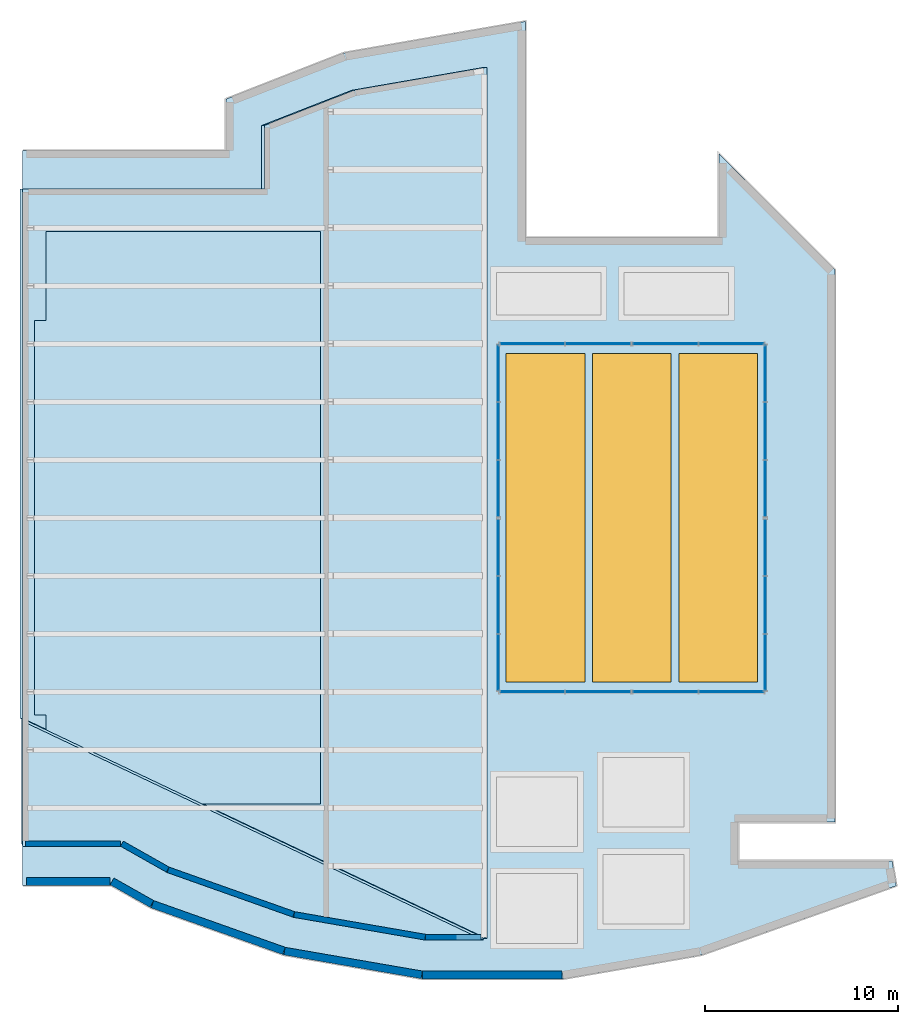
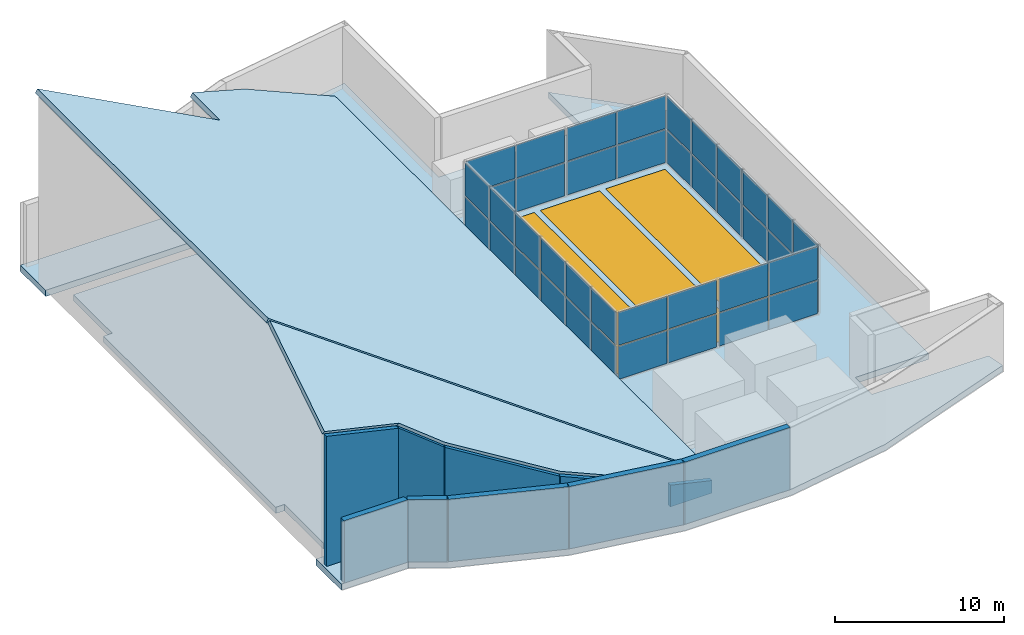
"""IFC4 building model written with IfcOpenShell, lengths in metres."""

from ifc_helpers import new_model, si_unit, direction, frame, frame_2d, origin, origin_2d, place, context, subcontext, project, spatial, polyline, rectangle, outline, extrude, material, layer, layer_set, type_object, element, fill, aggregate, save


model = new_model("IFC4")

# Units and contexts
model_context = context("Model", 3, precision=1e-05, world=origin(), true_north=direction((0.0, 1.0)))
body_context = subcontext(model_context, "Body", "Model", "MODEL_VIEW")
ifc_project = project(units=[si_unit("LENGTHUNIT", "METRE"), si_unit("AREAUNIT", "SQUARE_METRE"), si_unit("VOLUMEUNIT", "CUBIC_METRE"), si_unit("PLANEANGLEUNIT", "RADIAN"), si_unit("MASSUNIT", "GRAM", prefix="KILO")], contexts=[model_context])

# Site, building, storey
site_placement = place(None, origin())
site = spatial("IfcSite", under=ifc_project, at=site_placement, CompositionType="ELEMENT")
building_placement = place(site_placement, origin())
building = spatial("IfcBuilding", under=site, at=building_placement, Name="Cypress Arch Tower", CompositionType="ELEMENT")
storey_1_placement = place(building_placement, frame((0.0, 0.0, 359.0)))
storey_1 = spatial("IfcBuildingStorey", under=building, at=storey_1_placement, Name="ROOF", CompositionType="ELEMENT", Elevation=359.0)

# Slab
ifc_material_1 = material(Name="Concrete C50/60", Category="concrete")
ifc_layer_1 = layer(ifc_material_1, 0.449951171875)
ifc_layer_set_1 = layer_set([ifc_layer_1], Name="Core roof CR450")
slab_type_1 = type_object("IfcSlabType", Name="Core roof CR450", PredefinedType="ROOF", material=ifc_layer_set_1)
slab_1_placement = place(storey_1_placement, frame((0.0, 0.0, -0.449951171875)))
element("IfcSlab", 1, at=slab_1_placement, inside=storey_1, type_object=slab_type_1, Name="Core roof", PredefinedType="ROOF", context=body_context, shape_type="SweptSolid", body=[
    extrude(outline(polyline([(-14.60009765625, -14.800048828125), (-14.60009765625, -10.199951171875), (-14.60009765625, 10.199951171875), (-14.60009765625, 14.800048828125), (-28.800048828125, 14.800048828125), (-28.800048828125, 10.199951171875), (-29.39990234375, 10.199951171875), (-29.39990234375, -10.199951171875), (-28.800048828125, -10.199951171875), (-28.800048828125, -14.800048828125), (-14.60009765625, -14.800048828125)])), origin(), (0.0, 0.0, 1.0), 0.449951171875),
])

# Slab, openings
ifc_material_2 = material(Name="Concrete C40/50", Category="concrete")
ifc_layer_2 = layer(ifc_material_2, 0.449951171875)
ifc_layer_set_2 = layer_set([ifc_layer_2], Name="Crown roof slab 450 Concrete C40/50")
slab_type_2 = type_object("IfcSlabType", Name="Crown roof slab 450 Concrete C40/50", PredefinedType="ROOF", material=ifc_layer_set_2)
slab_2_placement = place(storey_1_placement, frame((0.0, 0.0, -0.449951171875)))
slab_2 = element("IfcSlab", 2, at=slab_2_placement, inside=storey_1, type_object=slab_type_2, Name="Plant block roof slab", PredefinedType="ROOF", context=body_context, shape_type="SweptSolid", body=[
    extrude(outline(polyline([(-19.5, 21.655029296875), (-13.39111328125, 24.0458984375), (-4.0, 25.677490234375), (-4.0, 14.5), (6.0, 14.5), (6.0, 18.828369140625), (12.0, 12.828369140625), (12.0, -15.739990234375), (7.0, -15.739990234375), (7.0, -17.739990234375), (14.96337890625, -17.739990234375), (15.184326171875, -19.022705078125), (5.108642578125, -22.601806640625), (-2.05859375, -23.840087890625), (-9.341552734375, -23.840087890625), (-16.50830078125, -22.601806640625), (-23.372802734375, -20.166748046875), (-25.436279296875, -19.0), (-30.0, -19.0), (-30.0, -16.0), (-14.0, -16.0), (-14.0, 16.0), (-30.0, 16.0), (-30.0, 19.0), (-19.5, 19.0), (-19.5, 21.655029296875)])), origin(), (0.0, 0.0, 1.0), 0.449951171875),
])
opening_1_placement = place(slab_2_placement, frame((-2.966552734375, 0.0, 0.0)))
opening_1 = element("IfcOpeningElement", 3, at=opening_1_placement, cuts=slab_2, Name="Opening SK1", PredefinedType="OPENING", context=body_context, shape_type="SweptSolid", body=[
    extrude(rectangle(XDim=4.066650390625, YDim=17.0, at=origin_2d()), origin(), (0.0, 0.0, 1.0), 0.449951171875),
])
opening_2_placement = place(slab_2_placement, frame((1.5, 0.0, 0.0)))
opening_2 = element("IfcOpeningElement", 4, at=opening_2_placement, cuts=slab_2, Name="Opening SK1", PredefinedType="OPENING", context=body_context, shape_type="SweptSolid", body=[
    extrude(rectangle(XDim=4.066650390625, YDim=17.0, at=origin_2d()), origin(), (0.0, 0.0, 1.0), 0.449951171875),
])
opening_3_placement = place(slab_2_placement, frame((5.966552734375, 0.0, 0.0)))
opening_3 = element("IfcOpeningElement", 5, at=opening_3_placement, cuts=slab_2, Name="Opening SK1", PredefinedType="OPENING", context=body_context, shape_type="SweptSolid", body=[
    extrude(rectangle(XDim=4.066650390625, YDim=17.0, at=origin_2d()), origin(), (0.0, 0.0, 1.0), 0.449951171875),
])

# Storey
storey_2_placement = place(building_placement, frame((0.0, 0.0, 355.0)))
storey_2 = spatial("IfcBuildingStorey", under=building, at=storey_2_placement, Name="L81", CompositionType="ELEMENT", Elevation=355.0)

# Window
ifc_material_3 = material(Name="Aluminium frame, laminated low-iron glass", Category="aluminium")
window_type = type_object("IfcWindowType", Name="Atrium skylight 4067x17000", PartitioningType="SINGLE_PANEL", PredefinedType="SKYLIGHT", material=ifc_material_3)
window_1_placement = place(opening_1_placement, frame((0.0, 0.0, 0.39990234375)))
window_1 = element("IfcWindow", 6, at=window_1_placement, inside=storey_2, type_object=window_type, Name="Atrium skylight 1", OverallHeight=17.0, OverallWidth=4.066650390625, PartitioningType="SINGLE_PANEL", PredefinedType="SKYLIGHT", context=body_context, shape_type="SweptSolid", body=[
    extrude(rectangle(XDim=4.066650390625, YDim=17.0, at=origin_2d()), origin(), (0.0, 0.0, 1.0), 0.050048828125),
])

fill(opening_1, window_1)

window_2_placement = place(opening_2_placement, frame((0.0, 0.0, 0.39990234375)))
window_2 = element("IfcWindow", 7, at=window_2_placement, inside=storey_2, type_object=window_type, Name="Atrium skylight 2", OverallHeight=17.0, OverallWidth=4.066650390625, PartitioningType="SINGLE_PANEL", PredefinedType="SKYLIGHT", context=body_context, shape_type="SweptSolid", body=[
    extrude(rectangle(XDim=4.066650390625, YDim=17.0, at=origin_2d()), origin(), (0.0, 0.0, 1.0), 0.050048828125),
])

fill(opening_2, window_2)

window_3_placement = place(opening_3_placement, frame((0.0, 0.0, 0.39990234375)))
window_3 = element("IfcWindow", 8, at=window_3_placement, inside=storey_2, type_object=window_type, Name="Atrium skylight 3", OverallHeight=17.0, OverallWidth=4.066650390625, PartitioningType="SINGLE_PANEL", PredefinedType="SKYLIGHT", context=body_context, shape_type="SweptSolid", body=[
    extrude(rectangle(XDim=4.066650390625, YDim=17.0, at=origin_2d()), origin(), (0.0, 0.0, 1.0), 0.050048828125),
])

fill(opening_3, window_3)

# Curtain wall, plates
ifc_material_4 = material(Name="Anodised aluminium, bronze finish, clear laminated double glazing", Category="aluminium")
curtain_wall_type = type_object("IfcCurtainWallType", Name="Curtain wall CW4 atrium enclosure", PredefinedType="NOTDEFINED", material=ifc_material_4)
curtain_wall_1_placement = place(storey_1_placement, origin())
curtain_wall_1 = element("IfcCurtainWall", 9, at=curtain_wall_1_placement, inside=storey_1, type_object=curtain_wall_type, Name="Curtain wall lantern 1.1", PredefinedType="NOTDEFINED")
ifc_material_5 = material(Name="Clear laminated double glazing", Category="glass")
ifc_layer_3 = layer(ifc_material_5, 0.0439453125)
ifc_layer_set_3 = layer_set([ifc_layer_3], Name="Glass panel CW4 44")
plate_type = type_object("IfcPlateType", Name="Glass panel CW4 44", PredefinedType="CURTAIN_PANEL", material=ifc_layer_set_3)
plate_1_placement = place(storey_1_placement, frame((-3.65380859375, -9.0, 0.0849609375), z_axis=(0.0, 0.0, 1.0), x_axis=(1.0, 0.0, 0.0)))
plate_1 = element("IfcPlate", 10, at=plate_1_placement, type_object=plate_type, Name="CW4 panel 1.1", PredefinedType="CURTAIN_PANEL", context=body_context, shape_type="SweptSolid", body=[
    extrude(rectangle(XDim=3.322509765625, YDim=0.0439453125, at=origin_2d()), origin(), (0.0, 0.0, 1.0), 2.37255859375),
])
plate_2_placement = place(storey_1_placement, frame((-3.65380859375, -9.0, 2.54248046875), z_axis=(0.0, 0.0, 1.0), x_axis=(1.0, 0.0, 0.0)))
plate_2 = element("IfcPlate", 11, at=plate_2_placement, type_object=plate_type, Name="CW4 panel 1.2", PredefinedType="CURTAIN_PANEL", context=body_context, shape_type="SweptSolid", body=[
    extrude(rectangle(XDim=3.322509765625, YDim=0.0439453125, at=origin_2d()), origin(), (0.0, 0.0, 1.0), 2.37255859375),
])
plate_3_placement = place(storey_1_placement, frame((-0.246337890625, -9.0, 0.0849609375), z_axis=(0.0, 0.0, 1.0), x_axis=(1.0, 0.0, 0.0)))
plate_3 = element("IfcPlate", 12, at=plate_3_placement, type_object=plate_type, Name="CW4 panel 2.1", PredefinedType="CURTAIN_PANEL", context=body_context, shape_type="SweptSolid", body=[
    extrude(rectangle(XDim=3.322509765625, YDim=0.0439453125, at=origin_2d()), origin(), (0.0, 0.0, 1.0), 2.37255859375),
])
plate_4_placement = place(storey_1_placement, frame((-0.246337890625, -9.0, 2.54248046875), z_axis=(0.0, 0.0, 1.0), x_axis=(1.0, 0.0, 0.0)))
plate_4 = element("IfcPlate", 13, at=plate_4_placement, type_object=plate_type, Name="CW4 panel 2.2", PredefinedType="CURTAIN_PANEL", context=body_context, shape_type="SweptSolid", body=[
    extrude(rectangle(XDim=3.322509765625, YDim=0.0439453125, at=origin_2d()), origin(), (0.0, 0.0, 1.0), 2.37255859375),
])
aggregate(curtain_wall_1, [plate_1, plate_2, plate_3, plate_4])

curtain_wall_2_placement = place(storey_1_placement, origin())
curtain_wall_2 = element("IfcCurtainWall", 14, at=curtain_wall_2_placement, inside=storey_1, type_object=curtain_wall_type, Name="Curtain wall lantern 1.2", PredefinedType="NOTDEFINED")
plate_5_placement = place(storey_1_placement, frame((3.246337890625, -9.0, 0.0849609375), z_axis=(0.0, 0.0, 1.0), x_axis=(1.0, 0.0, 0.0)))
plate_5 = element("IfcPlate", 15, at=plate_5_placement, type_object=plate_type, Name="CW4 panel 1.1", PredefinedType="CURTAIN_PANEL", context=body_context, shape_type="SweptSolid", body=[
    extrude(rectangle(XDim=3.322509765625, YDim=0.0439453125, at=origin_2d()), origin(), (0.0, 0.0, 1.0), 2.37255859375),
])
plate_6_placement = place(storey_1_placement, frame((3.246337890625, -9.0, 2.54248046875), z_axis=(0.0, 0.0, 1.0), x_axis=(1.0, 0.0, 0.0)))
plate_6 = element("IfcPlate", 16, at=plate_6_placement, type_object=plate_type, Name="CW4 panel 1.2", PredefinedType="CURTAIN_PANEL", context=body_context, shape_type="SweptSolid", body=[
    extrude(rectangle(XDim=3.322509765625, YDim=0.0439453125, at=origin_2d()), origin(), (0.0, 0.0, 1.0), 2.37255859375),
])
plate_7_placement = place(storey_1_placement, frame((6.65380859375, -9.0, 0.0849609375), z_axis=(0.0, 0.0, 1.0), x_axis=(1.0, 0.0, 0.0)))
plate_7 = element("IfcPlate", 17, at=plate_7_placement, type_object=plate_type, Name="CW4 panel 2.1", PredefinedType="CURTAIN_PANEL", context=body_context, shape_type="SweptSolid", body=[
    extrude(rectangle(XDim=3.322509765625, YDim=0.0439453125, at=origin_2d()), origin(), (0.0, 0.0, 1.0), 2.37255859375),
])
plate_8_placement = place(storey_1_placement, frame((6.65380859375, -9.0, 2.54248046875), z_axis=(0.0, 0.0, 1.0), x_axis=(1.0, 0.0, 0.0)))
plate_8 = element("IfcPlate", 18, at=plate_8_placement, type_object=plate_type, Name="CW4 panel 2.2", PredefinedType="CURTAIN_PANEL", context=body_context, shape_type="SweptSolid", body=[
    extrude(rectangle(XDim=3.322509765625, YDim=0.0439453125, at=origin_2d()), origin(), (0.0, 0.0, 1.0), 2.37255859375),
])
aggregate(curtain_wall_2, [plate_5, plate_6, plate_7, plate_8])

curtain_wall_3_placement = place(storey_1_placement, origin())
curtain_wall_3 = element("IfcCurtainWall", 19, at=curtain_wall_3_placement, inside=storey_1, type_object=curtain_wall_type, Name="Curtain wall lantern 2.1", PredefinedType="NOTDEFINED")
plate_9_placement = place(storey_1_placement, frame((8.39990234375, -7.478759765625, 0.0849609375), z_axis=(0.0, 0.0, 1.0), x_axis=(0.0, 1.0, 0.0)))
plate_9 = element("IfcPlate", 20, at=plate_9_placement, type_object=plate_type, Name="CW4 panel 1.1", PredefinedType="CURTAIN_PANEL", context=body_context, shape_type="SweptSolid", body=[
    extrude(rectangle(XDim=2.87255859375, YDim=0.0439453125, at=origin_2d()), origin(), (0.0, 0.0, 1.0), 2.37255859375),
])
plate_10_placement = place(storey_1_placement, frame((8.39990234375, -7.478759765625, 2.54248046875), z_axis=(0.0, 0.0, 1.0), x_axis=(0.0, 1.0, 0.0)))
plate_10 = element("IfcPlate", 21, at=plate_10_placement, type_object=plate_type, Name="CW4 panel 1.2", PredefinedType="CURTAIN_PANEL", context=body_context, shape_type="SweptSolid", body=[
    extrude(rectangle(XDim=2.87255859375, YDim=0.0439453125, at=origin_2d()), origin(), (0.0, 0.0, 1.0), 2.37255859375),
])
plate_11_placement = place(storey_1_placement, frame((8.39990234375, -4.5, 0.0849609375), z_axis=(0.0, 0.0, 1.0), x_axis=(0.0, 1.0, 0.0)))
plate_11 = element("IfcPlate", 22, at=plate_11_placement, type_object=plate_type, Name="CW4 panel 2.1", PredefinedType="CURTAIN_PANEL", context=body_context, shape_type="SweptSolid", body=[
    extrude(rectangle(XDim=2.9150390625, YDim=0.0439453125, at=origin_2d()), origin(), (0.0, 0.0, 1.0), 2.37255859375),
])
plate_12_placement = place(storey_1_placement, frame((8.39990234375, -4.5, 2.54248046875), z_axis=(0.0, 0.0, 1.0), x_axis=(0.0, 1.0, 0.0)))
plate_12 = element("IfcPlate", 23, at=plate_12_placement, type_object=plate_type, Name="CW4 panel 2.2", PredefinedType="CURTAIN_PANEL", context=body_context, shape_type="SweptSolid", body=[
    extrude(rectangle(XDim=2.9150390625, YDim=0.0439453125, at=origin_2d()), origin(), (0.0, 0.0, 1.0), 2.37255859375),
])
plate_13_placement = place(storey_1_placement, frame((8.39990234375, -1.521240234375, 0.0849609375), z_axis=(0.0, 0.0, 1.0), x_axis=(0.0, 1.0, 0.0)))
plate_13 = element("IfcPlate", 24, at=plate_13_placement, type_object=plate_type, Name="CW4 panel 3.1", PredefinedType="CURTAIN_PANEL", context=body_context, shape_type="SweptSolid", body=[
    extrude(rectangle(XDim=2.87255859375, YDim=0.0439453125, at=origin_2d()), origin(), (0.0, 0.0, 1.0), 2.37255859375),
])
plate_14_placement = place(storey_1_placement, frame((8.39990234375, -1.521240234375, 2.54248046875), z_axis=(0.0, 0.0, 1.0), x_axis=(0.0, 1.0, 0.0)))
plate_14 = element("IfcPlate", 25, at=plate_14_placement, type_object=plate_type, Name="CW4 panel 3.2", PredefinedType="CURTAIN_PANEL", context=body_context, shape_type="SweptSolid", body=[
    extrude(rectangle(XDim=2.87255859375, YDim=0.0439453125, at=origin_2d()), origin(), (0.0, 0.0, 1.0), 2.37255859375),
])
aggregate(curtain_wall_3, [plate_9, plate_10, plate_11, plate_12, plate_13, plate_14])

curtain_wall_4_placement = place(storey_1_placement, origin())
curtain_wall_4 = element("IfcCurtainWall", 26, at=curtain_wall_4_placement, inside=storey_1, type_object=curtain_wall_type, Name="Curtain wall lantern 2.2", PredefinedType="NOTDEFINED")
plate_15_placement = place(storey_1_placement, frame((8.39990234375, 1.521240234375, 0.0849609375), z_axis=(0.0, 0.0, 1.0), x_axis=(0.0, 1.0, 0.0)))
plate_15 = element("IfcPlate", 27, at=plate_15_placement, type_object=plate_type, Name="CW4 panel 1.1", PredefinedType="CURTAIN_PANEL", context=body_context, shape_type="SweptSolid", body=[
    extrude(rectangle(XDim=2.87255859375, YDim=0.0439453125, at=origin_2d()), origin(), (0.0, 0.0, 1.0), 2.37255859375),
])
plate_16_placement = place(storey_1_placement, frame((8.39990234375, 1.521240234375, 2.54248046875), z_axis=(0.0, 0.0, 1.0), x_axis=(0.0, 1.0, 0.0)))
plate_16 = element("IfcPlate", 28, at=plate_16_placement, type_object=plate_type, Name="CW4 panel 1.2", PredefinedType="CURTAIN_PANEL", context=body_context, shape_type="SweptSolid", body=[
    extrude(rectangle(XDim=2.87255859375, YDim=0.0439453125, at=origin_2d()), origin(), (0.0, 0.0, 1.0), 2.37255859375),
])
plate_17_placement = place(storey_1_placement, frame((8.39990234375, 4.5, 0.0849609375), z_axis=(0.0, 0.0, 1.0), x_axis=(0.0, 1.0, 0.0)))
plate_17 = element("IfcPlate", 29, at=plate_17_placement, type_object=plate_type, Name="CW4 panel 2.1", PredefinedType="CURTAIN_PANEL", context=body_context, shape_type="SweptSolid", body=[
    extrude(rectangle(XDim=2.9150390625, YDim=0.0439453125, at=origin_2d()), origin(), (0.0, 0.0, 1.0), 2.37255859375),
])
plate_18_placement = place(storey_1_placement, frame((8.39990234375, 4.5, 2.54248046875), z_axis=(0.0, 0.0, 1.0), x_axis=(0.0, 1.0, 0.0)))
plate_18 = element("IfcPlate", 30, at=plate_18_placement, type_object=plate_type, Name="CW4 panel 2.2", PredefinedType="CURTAIN_PANEL", context=body_context, shape_type="SweptSolid", body=[
    extrude(rectangle(XDim=2.9150390625, YDim=0.0439453125, at=origin_2d()), origin(), (0.0, 0.0, 1.0), 2.37255859375),
])
plate_19_placement = place(storey_1_placement, frame((8.39990234375, 7.478759765625, 0.0849609375), z_axis=(0.0, 0.0, 1.0), x_axis=(0.0, 1.0, 0.0)))
plate_19 = element("IfcPlate", 31, at=plate_19_placement, type_object=plate_type, Name="CW4 panel 3.1", PredefinedType="CURTAIN_PANEL", context=body_context, shape_type="SweptSolid", body=[
    extrude(rectangle(XDim=2.87255859375, YDim=0.0439453125, at=origin_2d()), origin(), (0.0, 0.0, 1.0), 2.37255859375),
])
plate_20_placement = place(storey_1_placement, frame((8.39990234375, 7.478759765625, 2.54248046875), z_axis=(0.0, 0.0, 1.0), x_axis=(0.0, 1.0, 0.0)))
plate_20 = element("IfcPlate", 32, at=plate_20_placement, type_object=plate_type, Name="CW4 panel 3.2", PredefinedType="CURTAIN_PANEL", context=body_context, shape_type="SweptSolid", body=[
    extrude(rectangle(XDim=2.87255859375, YDim=0.0439453125, at=origin_2d()), origin(), (0.0, 0.0, 1.0), 2.37255859375),
])
aggregate(curtain_wall_4, [plate_15, plate_16, plate_17, plate_18, plate_19, plate_20])

curtain_wall_5_placement = place(storey_1_placement, origin())
curtain_wall_5 = element("IfcCurtainWall", 33, at=curtain_wall_5_placement, inside=storey_1, type_object=curtain_wall_type, Name="Curtain wall lantern 3.1", PredefinedType="NOTDEFINED")
plate_21_placement = place(storey_1_placement, frame((6.65380859375, 9.0, 0.0849609375), z_axis=(0.0, 0.0, 1.0), x_axis=(-1.0, 0.0, 0.0)))
plate_21 = element("IfcPlate", 34, at=plate_21_placement, type_object=plate_type, Name="CW4 panel 1.1", PredefinedType="CURTAIN_PANEL", context=body_context, shape_type="SweptSolid", body=[
    extrude(rectangle(XDim=3.322509765625, YDim=0.0439453125, at=origin_2d()), origin(), (0.0, 0.0, 1.0), 2.37255859375),
])
plate_22_placement = place(storey_1_placement, frame((6.65380859375, 9.0, 2.54248046875), z_axis=(0.0, 0.0, 1.0), x_axis=(-1.0, 0.0, 0.0)))
plate_22 = element("IfcPlate", 35, at=plate_22_placement, type_object=plate_type, Name="CW4 panel 1.2", PredefinedType="CURTAIN_PANEL", context=body_context, shape_type="SweptSolid", body=[
    extrude(rectangle(XDim=3.322509765625, YDim=0.0439453125, at=origin_2d()), origin(), (0.0, 0.0, 1.0), 2.37255859375),
])
plate_23_placement = place(storey_1_placement, frame((3.246337890625, 9.0, 0.0849609375), z_axis=(0.0, 0.0, 1.0), x_axis=(-1.0, 0.0, 0.0)))
plate_23 = element("IfcPlate", 36, at=plate_23_placement, type_object=plate_type, Name="CW4 panel 2.1", PredefinedType="CURTAIN_PANEL", context=body_context, shape_type="SweptSolid", body=[
    extrude(rectangle(XDim=3.322509765625, YDim=0.0439453125, at=origin_2d()), origin(), (0.0, 0.0, 1.0), 2.37255859375),
])
plate_24_placement = place(storey_1_placement, frame((3.246337890625, 9.0, 2.54248046875), z_axis=(0.0, 0.0, 1.0), x_axis=(-1.0, 0.0, 0.0)))
plate_24 = element("IfcPlate", 37, at=plate_24_placement, type_object=plate_type, Name="CW4 panel 2.2", PredefinedType="CURTAIN_PANEL", context=body_context, shape_type="SweptSolid", body=[
    extrude(rectangle(XDim=3.322509765625, YDim=0.0439453125, at=origin_2d()), origin(), (0.0, 0.0, 1.0), 2.37255859375),
])
aggregate(curtain_wall_5, [plate_21, plate_22, plate_23, plate_24])

curtain_wall_6_placement = place(storey_1_placement, origin())
curtain_wall_6 = element("IfcCurtainWall", 38, at=curtain_wall_6_placement, inside=storey_1, type_object=curtain_wall_type, Name="Curtain wall lantern 3.2", PredefinedType="NOTDEFINED")
plate_25_placement = place(storey_1_placement, frame((-0.246337890625, 9.0, 0.0849609375), z_axis=(0.0, 0.0, 1.0), x_axis=(-1.0, 0.0, 0.0)))
plate_25 = element("IfcPlate", 39, at=plate_25_placement, type_object=plate_type, Name="CW4 panel 1.1", PredefinedType="CURTAIN_PANEL", context=body_context, shape_type="SweptSolid", body=[
    extrude(rectangle(XDim=3.322509765625, YDim=0.0439453125, at=origin_2d()), origin(), (0.0, 0.0, 1.0), 2.37255859375),
])
plate_26_placement = place(storey_1_placement, frame((-0.246337890625, 9.0, 2.54248046875), z_axis=(0.0, 0.0, 1.0), x_axis=(-1.0, 0.0, 0.0)))
plate_26 = element("IfcPlate", 40, at=plate_26_placement, type_object=plate_type, Name="CW4 panel 1.2", PredefinedType="CURTAIN_PANEL", context=body_context, shape_type="SweptSolid", body=[
    extrude(rectangle(XDim=3.322509765625, YDim=0.0439453125, at=origin_2d()), origin(), (0.0, 0.0, 1.0), 2.37255859375),
])
plate_27_placement = place(storey_1_placement, frame((-3.65380859375, 9.0, 0.0849609375), z_axis=(0.0, 0.0, 1.0), x_axis=(-1.0, 0.0, 0.0)))
plate_27 = element("IfcPlate", 41, at=plate_27_placement, type_object=plate_type, Name="CW4 panel 2.1", PredefinedType="CURTAIN_PANEL", context=body_context, shape_type="SweptSolid", body=[
    extrude(rectangle(XDim=3.322509765625, YDim=0.0439453125, at=origin_2d()), origin(), (0.0, 0.0, 1.0), 2.37255859375),
])
plate_28_placement = place(storey_1_placement, frame((-3.65380859375, 9.0, 2.54248046875), z_axis=(0.0, 0.0, 1.0), x_axis=(-1.0, 0.0, 0.0)))
plate_28 = element("IfcPlate", 42, at=plate_28_placement, type_object=plate_type, Name="CW4 panel 2.2", PredefinedType="CURTAIN_PANEL", context=body_context, shape_type="SweptSolid", body=[
    extrude(rectangle(XDim=3.322509765625, YDim=0.0439453125, at=origin_2d()), origin(), (0.0, 0.0, 1.0), 2.37255859375),
])
aggregate(curtain_wall_6, [plate_25, plate_26, plate_27, plate_28])

curtain_wall_7_placement = place(storey_1_placement, origin())
curtain_wall_7 = element("IfcCurtainWall", 43, at=curtain_wall_7_placement, inside=storey_1, type_object=curtain_wall_type, Name="Curtain wall lantern 4.1", PredefinedType="NOTDEFINED")
plate_29_placement = place(storey_1_placement, frame((-5.39990234375, 7.478759765625, 0.0849609375), z_axis=(0.0, 0.0, 1.0), x_axis=(0.0, -1.0, 0.0)))
plate_29 = element("IfcPlate", 44, at=plate_29_placement, type_object=plate_type, Name="CW4 panel 1.1", PredefinedType="CURTAIN_PANEL", context=body_context, shape_type="SweptSolid", body=[
    extrude(rectangle(XDim=2.87255859375, YDim=0.0439453125, at=origin_2d()), origin(), (0.0, 0.0, 1.0), 2.37255859375),
])
plate_30_placement = place(storey_1_placement, frame((-5.39990234375, 7.478759765625, 2.54248046875), z_axis=(0.0, 0.0, 1.0), x_axis=(0.0, -1.0, 0.0)))
plate_30 = element("IfcPlate", 45, at=plate_30_placement, type_object=plate_type, Name="CW4 panel 1.2", PredefinedType="CURTAIN_PANEL", context=body_context, shape_type="SweptSolid", body=[
    extrude(rectangle(XDim=2.87255859375, YDim=0.0439453125, at=origin_2d()), origin(), (0.0, 0.0, 1.0), 2.37255859375),
])
plate_31_placement = place(storey_1_placement, frame((-5.39990234375, 4.5, 0.0849609375), z_axis=(0.0, 0.0, 1.0), x_axis=(0.0, -1.0, 0.0)))
plate_31 = element("IfcPlate", 46, at=plate_31_placement, type_object=plate_type, Name="CW4 panel 2.1", PredefinedType="CURTAIN_PANEL", context=body_context, shape_type="SweptSolid", body=[
    extrude(rectangle(XDim=2.9150390625, YDim=0.0439453125, at=origin_2d()), origin(), (0.0, 0.0, 1.0), 2.37255859375),
])
plate_32_placement = place(storey_1_placement, frame((-5.39990234375, 4.5, 2.54248046875), z_axis=(0.0, 0.0, 1.0), x_axis=(0.0, -1.0, 0.0)))
plate_32 = element("IfcPlate", 47, at=plate_32_placement, type_object=plate_type, Name="CW4 panel 2.2", PredefinedType="CURTAIN_PANEL", context=body_context, shape_type="SweptSolid", body=[
    extrude(rectangle(XDim=2.9150390625, YDim=0.0439453125, at=origin_2d()), origin(), (0.0, 0.0, 1.0), 2.37255859375),
])
plate_33_placement = place(storey_1_placement, frame((-5.39990234375, 1.521240234375, 0.0849609375), z_axis=(0.0, 0.0, 1.0), x_axis=(0.0, -1.0, 0.0)))
plate_33 = element("IfcPlate", 48, at=plate_33_placement, type_object=plate_type, Name="CW4 panel 3.1", PredefinedType="CURTAIN_PANEL", context=body_context, shape_type="SweptSolid", body=[
    extrude(rectangle(XDim=2.87255859375, YDim=0.0439453125, at=origin_2d()), origin(), (0.0, 0.0, 1.0), 2.37255859375),
])
plate_34_placement = place(storey_1_placement, frame((-5.39990234375, 1.521240234375, 2.54248046875), z_axis=(0.0, 0.0, 1.0), x_axis=(0.0, -1.0, 0.0)))
plate_34 = element("IfcPlate", 49, at=plate_34_placement, type_object=plate_type, Name="CW4 panel 3.2", PredefinedType="CURTAIN_PANEL", context=body_context, shape_type="SweptSolid", body=[
    extrude(rectangle(XDim=2.87255859375, YDim=0.0439453125, at=origin_2d()), origin(), (0.0, 0.0, 1.0), 2.37255859375),
])
aggregate(curtain_wall_7, [plate_29, plate_30, plate_31, plate_32, plate_33, plate_34])

curtain_wall_8_placement = place(storey_1_placement, origin())
curtain_wall_8 = element("IfcCurtainWall", 50, at=curtain_wall_8_placement, inside=storey_1, type_object=curtain_wall_type, Name="Curtain wall lantern 4.2", PredefinedType="NOTDEFINED")
plate_35_placement = place(storey_1_placement, frame((-5.39990234375, -1.521240234375, 0.0849609375), z_axis=(0.0, 0.0, 1.0), x_axis=(0.0, -1.0, 0.0)))
plate_35 = element("IfcPlate", 51, at=plate_35_placement, type_object=plate_type, Name="CW4 panel 1.1", PredefinedType="CURTAIN_PANEL", context=body_context, shape_type="SweptSolid", body=[
    extrude(rectangle(XDim=2.87255859375, YDim=0.0439453125, at=origin_2d()), origin(), (0.0, 0.0, 1.0), 2.37255859375),
])
plate_36_placement = place(storey_1_placement, frame((-5.39990234375, -1.521240234375, 2.54248046875), z_axis=(0.0, 0.0, 1.0), x_axis=(0.0, -1.0, 0.0)))
plate_36 = element("IfcPlate", 52, at=plate_36_placement, type_object=plate_type, Name="CW4 panel 1.2", PredefinedType="CURTAIN_PANEL", context=body_context, shape_type="SweptSolid", body=[
    extrude(rectangle(XDim=2.87255859375, YDim=0.0439453125, at=origin_2d()), origin(), (0.0, 0.0, 1.0), 2.37255859375),
])
plate_37_placement = place(storey_1_placement, frame((-5.39990234375, -4.5, 0.0849609375), z_axis=(0.0, 0.0, 1.0), x_axis=(0.0, -1.0, 0.0)))
plate_37 = element("IfcPlate", 53, at=plate_37_placement, type_object=plate_type, Name="CW4 panel 2.1", PredefinedType="CURTAIN_PANEL", context=body_context, shape_type="SweptSolid", body=[
    extrude(rectangle(XDim=2.9150390625, YDim=0.0439453125, at=origin_2d()), origin(), (0.0, 0.0, 1.0), 2.37255859375),
])
plate_38_placement = place(storey_1_placement, frame((-5.39990234375, -4.5, 2.54248046875), z_axis=(0.0, 0.0, 1.0), x_axis=(0.0, -1.0, 0.0)))
plate_38 = element("IfcPlate", 54, at=plate_38_placement, type_object=plate_type, Name="CW4 panel 2.2", PredefinedType="CURTAIN_PANEL", context=body_context, shape_type="SweptSolid", body=[
    extrude(rectangle(XDim=2.9150390625, YDim=0.0439453125, at=origin_2d()), origin(), (0.0, 0.0, 1.0), 2.37255859375),
])
plate_39_placement = place(storey_1_placement, frame((-5.39990234375, -7.478759765625, 0.0849609375), z_axis=(0.0, 0.0, 1.0), x_axis=(0.0, -1.0, 0.0)))
plate_39 = element("IfcPlate", 55, at=plate_39_placement, type_object=plate_type, Name="CW4 panel 3.1", PredefinedType="CURTAIN_PANEL", context=body_context, shape_type="SweptSolid", body=[
    extrude(rectangle(XDim=2.87255859375, YDim=0.0439453125, at=origin_2d()), origin(), (0.0, 0.0, 1.0), 2.37255859375),
])
plate_40_placement = place(storey_1_placement, frame((-5.39990234375, -7.478759765625, 2.54248046875), z_axis=(0.0, 0.0, 1.0), x_axis=(0.0, -1.0, 0.0)))
plate_40 = element("IfcPlate", 56, at=plate_40_placement, type_object=plate_type, Name="CW4 panel 3.2", PredefinedType="CURTAIN_PANEL", context=body_context, shape_type="SweptSolid", body=[
    extrude(rectangle(XDim=2.87255859375, YDim=0.0439453125, at=origin_2d()), origin(), (0.0, 0.0, 1.0), 2.37255859375),
])
aggregate(curtain_wall_8, [plate_35, plate_36, plate_37, plate_38, plate_39, plate_40])

# Slabs
ifc_material_6 = material(Name="Concrete C40/50", Category="concrete")
ifc_layer_4 = layer(ifc_material_6, 0.300048828125)
ifc_layer_set_4 = layer_set([ifc_layer_4], Name="Raked roof plane 300 Concrete C40/50")
slab_type_3 = type_object("IfcSlabType", Name="Raked roof plane 300 Concrete C40/50", PredefinedType="ROOF", material=ifc_layer_set_4)
slab_3_placement = place(storey_1_placement, frame((-16.0, -20.659912109375, 4.2548828125), z_axis=(0.191250835418, -0.525477526667, 0.8290334655), x_axis=(-0.866026746735, 0.307194899442, 0.394498374771)))
element("IfcSlab", 57, at=slab_3_placement, inside=storey_1, type_object=slab_type_3, Name="Raked roof plane B", PredefinedType="ROOF", context=body_context, shape_type="SweptSolid", body=[
    extrude(outline(polyline([(0.0, 0.0), (7.551795432948508, 0.0), (10.566555232882983, -0.5216917151048275), (15.437973403126819, 1.3643885490388974), (19.04837267153966, -5.403728397653875), (-10.069081889903478, -2.4111280433015994), (-7.194185899230207, -1.2980986114208055), (0.0, 0.0)])), origin(), (0.0, 0.0, -1.0), 0.300048828125),
])
slab_4_placement = place(storey_1_placement, frame((-30.0, 17.0, 13.9609375), z_axis=(0.469470879012, -1.448816e-06, 0.882947956426), x_axis=(0.882947956427, 1e-11, -0.469470879013)))
element("IfcSlab", 58, at=slab_4_placement, inside=storey_1, type_object=slab_type_3, Name="Raked roof plane A", PredefinedType="ROOF", context=body_context, shape_type="SweptSolid", body=[
    extrude(outline(polyline([(0.0, 0.0), (14.15706570030213, 0.0), (14.157065700336393, 3.2900390624965477), (19.423412958625576, 5.110107421789473), (27.181662422853304, 6.300048827856045), (27.18166242274084, -4.500000000257621), (27.18166242238406, -38.76123046897167), (-2.8494639529242944e-10, -27.363281249971287), (0.0, 0.0)])), origin(), (0.0, 0.0, -1.0), 0.300048828125),
])

# Walls
ifc_material_7 = material(Name="White painted Concrete C40/50", Category="concrete")
ifc_layer_5 = layer(ifc_material_7, 0.39990234375)
ifc_layer_set_5 = layer_set([ifc_layer_5], Name="Crown upstand band 400 White painted Concrete C40/50")
wall_type_1 = type_object("IfcWallType", Name="Crown upstand band 400 White painted Concrete C40/50", PredefinedType="PARAPET", material=ifc_layer_set_5)
wall_1_placement = place(storey_1_placement, frame((-2.11572265625, -23.639892578125, 0.0), z_axis=(0.0, 0.0, 1.0), x_axis=(-1.0, 0.0, 0.0)))
element("IfcWall", 59, at=wall_1_placement, inside=storey_1, type_object=wall_type_1, Name="Crown upstand band 15", PredefinedType="PARAPET", context=body_context, shape_type="SweptSolid", body=[
    extrude(rectangle(XDim=7.208740234375, YDim=0.39990234375, at=frame_2d((3.6044921875, 0.0))), origin(), (0.0, 0.0, 1.0), 4.5),
])
wall_2_placement = place(storey_1_placement, frame((-9.36376953125, -23.63330078125, 0.0), z_axis=(0.0, 0.0, 1.0), x_axis=(-0.985401314584, 0.170247611482, 0.0)))
element("IfcWall", 60, at=wall_2_placement, inside=storey_1, type_object=wall_type_1, Name="Crown upstand band 16", PredefinedType="PARAPET", context=body_context, shape_type="SweptSolid", body=[
    extrude(rectangle(XDim=7.19873046875, YDim=0.39990234375, at=frame_2d((3.599365234375, 0.0))), origin(), (0.0, 0.0, 1.0), 4.5),
])
wall_3_placement = place(storey_1_placement, frame((-16.4951171875, -22.394287109375, 0.0), z_axis=(0.0, 0.0, 1.0), x_axis=(-0.942461480438, 0.334314758709, 0.0)))
element("IfcWall", 61, at=wall_3_placement, inside=storey_1, type_object=wall_type_1, Name="Crown upstand band 17", PredefinedType="PARAPET", context=body_context, shape_type="SweptSolid", body=[
    extrude(rectangle(XDim=7.209228515625, YDim=0.39990234375, at=frame_2d((3.6044921875, 0.0))), origin(), (0.0, 0.0, 1.0), 4.5),
])
wall_4_placement = place(storey_1_placement, frame((-23.32421875, -19.96435546875, 0.0), z_axis=(0.0, 0.0, 1.0), x_axis=(-0.870501325243, 0.492166072328, 0.0)))
element("IfcWall", 62, at=wall_4_placement, inside=storey_1, type_object=wall_type_1, Name="Crown upstand band 18", PredefinedType="PARAPET", context=body_context, shape_type="SweptSolid", body=[
    extrude(rectangle(XDim=2.36572265625, YDim=0.39990234375, at=frame_2d((1.182861328125, 0.0))), origin(), (0.0, 0.0, 1.0), 4.5),
])
wall_5_placement = place(storey_1_placement, frame((-25.483642578125, -18.800048828125, 0.0), z_axis=(0.0, 0.0, 1.0), x_axis=(-1.0, 0.0, 0.0)))
element("IfcWall", 63, at=wall_5_placement, inside=storey_1, type_object=wall_type_1, Name="Crown upstand band 19", PredefinedType="PARAPET", context=body_context, shape_type="SweptSolid", body=[
    extrude(rectangle(XDim=4.31640625, YDim=0.39990234375, at=frame_2d((2.158203125, 0.0))), origin(), (0.0, 0.0, 1.0), 4.5),
])
ifc_material_8 = material(Name="Concrete C40/50", Category="concrete")
ifc_layer_6 = layer(ifc_material_8, 0.300048828125)
ifc_layer_set_6 = layer_set([ifc_layer_6], Name="Raked roof wall 300 Concrete C40/50")
wall_type_2 = type_object("IfcWallType", Name="Raked roof wall 300 Concrete C40/50", PredefinedType="SOLIDWALL", material=ifc_layer_set_6)
wall_6_placement = place(storey_1_placement, frame((-9.186767578125, -21.684814453125, 0.0), z_axis=(0.0, 0.0, 1.0), x_axis=(-0.985404503688, 0.170229151767, 0.0)))
element("IfcWall", 64, at=wall_6_placement, inside=storey_1, type_object=wall_type_2, Name="Raked roof wall 1", PredefinedType="SOLIDWALL", context=body_context, shape_type="SweptSolid", body=[
    extrude(outline(polyline([(0.0, 0.0), (6.87548828125, 0.0), (6.87548828125, 3.888671875), (0.0, 1.583740234375), (0.0, 0.0)])), frame((0.0, 0.14990234375, 0.0), z_axis=(0.0, -1.0, 0.0), x_axis=(1.0, 0.0, 0.0)), (0.0, 0.0, 1.0), 0.300048828125),
])
wall_7_placement = place(storey_1_placement, frame((-15.990234375, -20.50439453125, 0.0), z_axis=(0.0, 0.0, 1.0), x_axis=(-0.942447575576, 0.334353955101, 0.0)))
element("IfcWall", 65, at=wall_7_placement, inside=storey_1, type_object=wall_type_2, Name="Raked roof wall 2", PredefinedType="SOLIDWALL", context=body_context, shape_type="SweptSolid", body=[
    extrude(outline(polyline([(0.0, 0.0), (6.883544921875, 0.0), (6.883544921875, 6.86669921875), (0.0, 3.911376953125), (0.0, 0.0)])), frame((0.0, 0.14990234375, 0.0), z_axis=(0.0, -1.0, 0.0), x_axis=(1.0, 0.0, 0.0)), (0.0, 0.0, 1.0), 0.300048828125),
])
wall_8_placement = place(storey_1_placement, frame((-22.503662109375, -18.188232421875, 0.0), z_axis=(0.0, 0.0, 1.0), x_axis=(-0.870516010088, 0.492140098122, 0.0)))
element("IfcWall", 66, at=wall_8_placement, inside=storey_1, type_object=wall_type_2, Name="Raked roof wall 3", PredefinedType="SOLIDWALL", context=body_context, shape_type="SweptSolid", body=[
    extrude(outline(polyline([(0.0, 0.0), (2.718994140625, 0.0), (2.718994140625, 8.28857421875), (0.0, 6.894287109375), (0.0, 0.0)])), frame((0.0, 0.14990234375, 0.0), z_axis=(0.0, -1.0, 0.0), x_axis=(1.0, 0.0, 0.0)), (0.0, 0.0, 1.0), 0.300048828125),
])
wall_9_placement = place(storey_1_placement, frame((-24.950439453125, -16.85009765625, 0.0), z_axis=(0.0, 0.0, 1.0), x_axis=(-1.0, 0.0, 0.0)))
element("IfcWall", 67, at=wall_9_placement, inside=storey_1, type_object=wall_type_2, Name="Raked roof wall 4", PredefinedType="SOLIDWALL", context=body_context, shape_type="SweptSolid", body=[
    extrude(outline(polyline([(0.0, 0.0), (4.899658203125, 0.0), (4.8994140625, 9.407958984375), (0.0, 8.277587890625), (0.0, 0.0)])), frame((0.0, 0.14990234375, 0.0), z_axis=(0.0, -1.0, 0.0), x_axis=(1.0, 0.0, 0.0)), (0.0, 0.0, 1.0), 0.300048828125),
])
wall_10_placement = place(storey_1_placement, frame((-6.300048828125, -21.68994140625, 0.0), z_axis=(0.0, 0.0, 1.0), x_axis=(-1.0, 0.0, 0.0)))
element("IfcWall", 68, at=wall_10_placement, inside=storey_1, type_object=wall_type_2, Name="Raked roof wall 11", PredefinedType="SOLIDWALL", context=body_context, shape_type="SweptSolid", body=[
    extrude(outline(polyline([(0.0, 0.0), (2.857177734375, 0.0), (2.857177734375, 1.56640625), (0.25830078125, 0.967041015625), (0.0, 0.9072265625), (0.0, 0.0)])), frame((0.0, 0.14990234375, 0.0), z_axis=(0.0, -1.0, 0.0), x_axis=(1.0, 0.0, 0.0)), (0.0, 0.0, 1.0), 0.300048828125),
])

save(model, "model.ifc")
